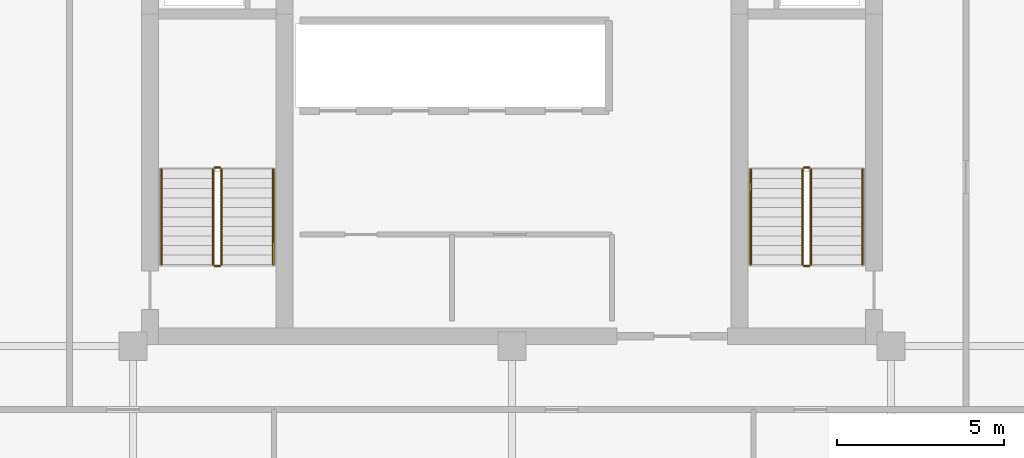
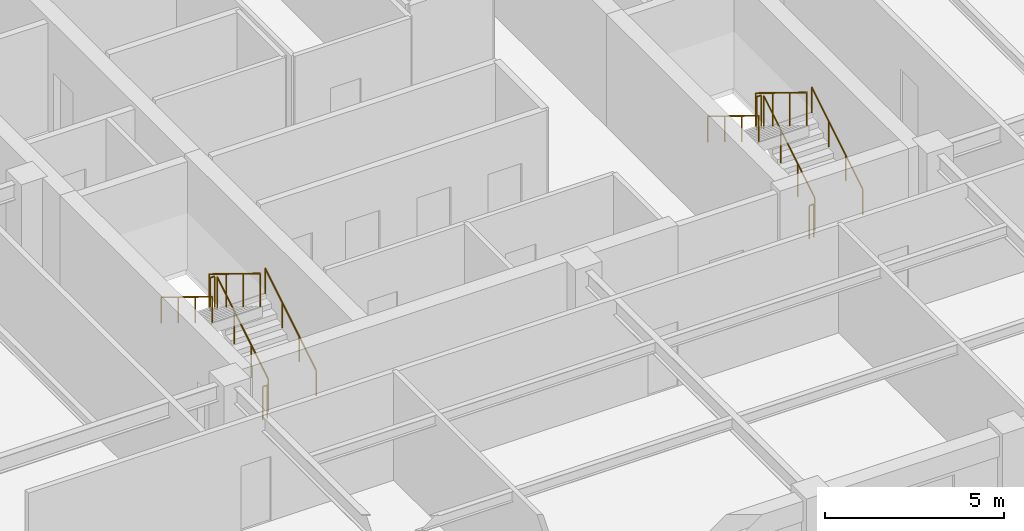
# One storey, part 6 of 6: 12 railings.
"""IFC4 building model written with IfcOpenShell, lengths in metres."""

from ifc_helpers import new_model, si_unit, direction, frame, origin, origin_2d, place, context, subcontext, project, spatial, circle, extrude, material, type_object, element, save


model = new_model("IFC4")

# Units and contexts
model_context = context("Model", 3, precision=1e-05, world=origin(), true_north=direction((0.0, 1.0)))
body_context = subcontext(model_context, "Body", "Model", "MODEL_VIEW")
ifc_project = project(units=[si_unit("LENGTHUNIT", "METRE"), si_unit("AREAUNIT", "SQUARE_METRE"), si_unit("VOLUMEUNIT", "CUBIC_METRE"), si_unit("PLANEANGLEUNIT", "RADIAN"), si_unit("MASSUNIT", "GRAM", prefix="KILO")], contexts=[model_context])

# Site, building, storey
site_placement = place(None, origin())
site = spatial("IfcSite", under=ifc_project, at=site_placement, CompositionType="ELEMENT")
building_placement = place(site_placement, origin())
building = spatial("IfcBuilding", under=site, at=building_placement, Name="Nhamokura Convention Tower", CompositionType="ELEMENT")
storey_placement = place(building_placement, frame((0.0, 0.0, 233.10009765625)))
storey = spatial("IfcBuildingStorey", under=building, at=storey_placement, Name="L57", CompositionType="ELEMENT", Elevation=233.10009765625)

# Railings
ifc_material_1 = material(Name="Anodised bronze stainless steel", Category="steel")
railing_type_1 = type_object("IfcRailingType", Name="StairWallHandrail_900", PredefinedType="HANDRAIL", material=ifc_material_1)
railing_1_placement = place(storey_placement, frame((24.85009765625, 23.10009765625, 0.1748046875)))
element("IfcRailing", 1, at=railing_1_placement, inside=storey, type_object=railing_type_1, Name="L57 ST-01 stair handrail 1", PredefinedType="HANDRAIL", context=body_context, shape_type="SweptSolid", body=[
    extrude(circle(Radius=0.02392578125, at=origin_2d()), frame((0.0, 0.0, 0.8759765625), z_axis=(0.0, 0.852159232446, 0.523282564737), x_axis=(-1.0, 0.0, 0.0)), (0.0, 0.0, 1.0), 3.34423828125),
    extrude(circle(Radius=0.02099609375, at=origin_2d()), origin(), (0.0, 0.0, 1.0), 0.851806640625),
    extrude(circle(Radius=0.02099609375, at=origin_2d()), frame((0.0, 0.949951171875, 0.583251953125)), (0.0, 0.0, 1.0), 0.851806640625),
    extrude(circle(Radius=0.02099609375, at=origin_2d()), frame((0.0, 1.89990234375, 1.166748046875)), (0.0, 0.0, 1.0), 0.851806640625),
    extrude(circle(Radius=0.02099609375, at=origin_2d()), frame((0.0, 2.849853515625, 1.75)), (0.0, 0.0, 1.0), 0.851806640625),
])
railing_2_placement = place(storey_placement, frame((21.5, 25.949951171875, 2.099853515625)))
element("IfcRailing", 2, at=railing_2_placement, inside=storey, type_object=railing_type_1, Name="L57 ST-01 stair handrail 2", PredefinedType="HANDRAIL", context=body_context, shape_type="SweptSolid", body=[
    extrude(circle(Radius=0.02392578125, at=origin_2d()), frame((0.0, 0.0, 0.8759765625), z_axis=(0.0, -0.852159232446, 0.523282564737), x_axis=(1.0, 0.0, 0.0)), (0.0, 0.0, 1.0), 3.34423828125),
    extrude(circle(Radius=0.02099609375, at=origin_2d()), origin(), (0.0, 0.0, 1.0), 0.851806640625),
    extrude(circle(Radius=0.02099609375, at=origin_2d()), frame((0.0, -0.949951171875, 0.583251953125)), (0.0, 0.0, 1.0), 0.851806640625),
    extrude(circle(Radius=0.02099609375, at=origin_2d()), frame((0.0, -1.89990234375, 1.166748046875)), (0.0, 0.0, 1.0), 0.851806640625),
    extrude(circle(Radius=0.02099609375, at=origin_2d()), frame((0.0, -2.849853515625, 1.75)), (0.0, 0.0, 1.0), 0.851806640625),
])
railing_3_placement = place(storey_placement, frame((42.5, 23.10009765625, 0.1748046875)))
element("IfcRailing", 3, at=railing_3_placement, inside=storey, type_object=railing_type_1, Name="L57 ST-02 stair handrail 1", PredefinedType="HANDRAIL", context=body_context, shape_type="SweptSolid", body=[
    extrude(circle(Radius=0.02392578125, at=origin_2d()), frame((0.0, 0.0, 0.8759765625), z_axis=(0.0, 0.852159232446, 0.523282564737), x_axis=(-1.0, 0.0, 0.0)), (0.0, 0.0, 1.0), 3.34423828125),
    extrude(circle(Radius=0.02099609375, at=origin_2d()), origin(), (0.0, 0.0, 1.0), 0.851806640625),
    extrude(circle(Radius=0.02099609375, at=origin_2d()), frame((0.0, 0.949951171875, 0.583251953125)), (0.0, 0.0, 1.0), 0.851806640625),
    extrude(circle(Radius=0.02099609375, at=origin_2d()), frame((0.0, 1.89990234375, 1.166748046875)), (0.0, 0.0, 1.0), 0.851806640625),
    extrude(circle(Radius=0.02099609375, at=origin_2d()), frame((0.0, 2.849853515625, 1.75)), (0.0, 0.0, 1.0), 0.851806640625),
])
railing_4_placement = place(storey_placement, frame((39.14990234375, 25.949951171875, 2.099853515625)))
element("IfcRailing", 4, at=railing_4_placement, inside=storey, type_object=railing_type_1, Name="L57 ST-02 stair handrail 2", PredefinedType="HANDRAIL", context=body_context, shape_type="SweptSolid", body=[
    extrude(circle(Radius=0.02392578125, at=origin_2d()), frame((0.0, 0.0, 0.8759765625), z_axis=(0.0, -0.852159232446, 0.523282564737), x_axis=(1.0, 0.0, 0.0)), (0.0, 0.0, 1.0), 3.34423828125),
    extrude(circle(Radius=0.02099609375, at=origin_2d()), origin(), (0.0, 0.0, 1.0), 0.851806640625),
    extrude(circle(Radius=0.02099609375, at=origin_2d()), frame((0.0, -0.949951171875, 0.583251953125)), (0.0, 0.0, 1.0), 0.851806640625),
    extrude(circle(Radius=0.02099609375, at=origin_2d()), frame((0.0, -1.89990234375, 1.166748046875)), (0.0, 0.0, 1.0), 0.851806640625),
    extrude(circle(Radius=0.02099609375, at=origin_2d()), frame((0.0, -2.849853515625, 1.75)), (0.0, 0.0, 1.0), 0.851806640625),
])
ifc_material_2 = material(Name="Painted tubular steel", Category="steel")
railing_type_2 = type_object("IfcRailingType", Name="StairWellGuardrail_1150", PredefinedType="GUARDRAIL", material=ifc_material_2)
railing_5_placement = place(storey_placement, frame((23.300048828125, 23.10009765625, 0.1748046875)))
element("IfcRailing", 5, at=railing_5_placement, inside=storey, type_object=railing_type_2, Name="L57 ST-01 stair guard 1", PredefinedType="GUARDRAIL", context=body_context, shape_type="SweptSolid", body=[
    extrude(circle(Radius=0.02392578125, at=origin_2d()), frame((0.0, 0.0, 1.1259765625), z_axis=(0.0, 0.852159232446, 0.523282564737), x_axis=(-1.0, 0.0, 0.0)), (0.0, 0.0, 1.0), 3.34423828125),
    extrude(circle(Radius=0.02099609375, at=origin_2d()), origin(), (0.0, 0.0, 1.0), 1.101806640625),
    extrude(circle(Radius=0.02099609375, at=origin_2d()), frame((0.0, 0.949951171875, 0.583251953125)), (0.0, 0.0, 1.0), 1.101806640625),
    extrude(circle(Radius=0.02099609375, at=origin_2d()), frame((0.0, 1.89990234375, 1.166748046875)), (0.0, 0.0, 1.0), 1.101806640625),
    extrude(circle(Radius=0.02099609375, at=origin_2d()), frame((0.0, 2.849853515625, 1.75)), (0.0, 0.0, 1.0), 1.101806640625),
])
railing_6_placement = place(storey_placement, frame((23.25, 26.0, 1.9248046875)))
element("IfcRailing", 6, at=railing_6_placement, inside=storey, type_object=railing_type_2, Name="L57 ST-01 stair guard 2", PredefinedType="GUARDRAIL", context=body_context, shape_type="SweptSolid", body=[
    extrude(circle(Radius=0.02392578125, at=origin_2d()), frame((0.0, 0.0, 1.1259765625), z_axis=(-1.0, 0.0, 0.0), x_axis=(0.0, -1.0, 0.0)), (0.0, 0.0, 1.0), 0.14990234375),
    extrude(circle(Radius=0.02099609375, at=origin_2d()), origin(), (0.0, 0.0, 1.0), 1.101806640625),
    extrude(circle(Radius=0.02099609375, at=origin_2d()), frame((-0.14990234375, 0.0, 0.0)), (0.0, 0.0, 1.0), 1.101806640625),
])
railing_7_placement = place(storey_placement, frame((23.050048828125, 25.949951171875, 2.099853515625)))
element("IfcRailing", 7, at=railing_7_placement, inside=storey, type_object=railing_type_2, Name="L57 ST-01 stair guard 3", PredefinedType="GUARDRAIL", context=body_context, shape_type="SweptSolid", body=[
    extrude(circle(Radius=0.02392578125, at=origin_2d()), frame((0.0, 0.0, 1.1259765625), z_axis=(0.0, -0.852159232446, 0.523282564737), x_axis=(1.0, 0.0, 0.0)), (0.0, 0.0, 1.0), 3.34423828125),
    extrude(circle(Radius=0.02099609375, at=origin_2d()), origin(), (0.0, 0.0, 1.0), 1.101806640625),
    extrude(circle(Radius=0.02099609375, at=origin_2d()), frame((0.0, -0.949951171875, 0.583251953125)), (0.0, 0.0, 1.0), 1.101806640625),
    extrude(circle(Radius=0.02099609375, at=origin_2d()), frame((0.0, -1.89990234375, 1.166748046875)), (0.0, 0.0, 1.0), 1.101806640625),
    extrude(circle(Radius=0.02099609375, at=origin_2d()), frame((0.0, -2.849853515625, 1.75)), (0.0, 0.0, 1.0), 1.101806640625),
])
railing_8_placement = place(storey_placement, frame((23.25, 23.050048828125, 0.0)))
element("IfcRailing", 8, at=railing_8_placement, inside=storey, type_object=railing_type_2, Name="L57 ST-01 stair guard 4", PredefinedType="GUARDRAIL", context=body_context, shape_type="SweptSolid", body=[
    extrude(circle(Radius=0.02392578125, at=origin_2d()), frame((0.0, 0.0, 1.1259765625), z_axis=(-1.0, 0.0, 0.0), x_axis=(0.0, -1.0, 0.0)), (0.0, 0.0, 1.0), 0.14990234375),
    extrude(circle(Radius=0.02099609375, at=origin_2d()), origin(), (0.0, 0.0, 1.0), 1.101806640625),
    extrude(circle(Radius=0.02099609375, at=origin_2d()), frame((-0.14990234375, 0.0, 0.0)), (0.0, 0.0, 1.0), 1.101806640625),
])
railing_9_placement = place(storey_placement, frame((40.949951171875, 23.10009765625, 0.1748046875)))
element("IfcRailing", 9, at=railing_9_placement, inside=storey, type_object=railing_type_2, Name="L57 ST-02 stair guard 1", PredefinedType="GUARDRAIL", context=body_context, shape_type="SweptSolid", body=[
    extrude(circle(Radius=0.02392578125, at=origin_2d()), frame((0.0, 0.0, 1.1259765625), z_axis=(0.0, 0.852159232446, 0.523282564737), x_axis=(-1.0, 0.0, 0.0)), (0.0, 0.0, 1.0), 3.34423828125),
    extrude(circle(Radius=0.02099609375, at=origin_2d()), origin(), (0.0, 0.0, 1.0), 1.101806640625),
    extrude(circle(Radius=0.02099609375, at=origin_2d()), frame((0.0, 0.949951171875, 0.583251953125)), (0.0, 0.0, 1.0), 1.101806640625),
    extrude(circle(Radius=0.02099609375, at=origin_2d()), frame((0.0, 1.89990234375, 1.166748046875)), (0.0, 0.0, 1.0), 1.101806640625),
    extrude(circle(Radius=0.02099609375, at=origin_2d()), frame((0.0, 2.849853515625, 1.75)), (0.0, 0.0, 1.0), 1.101806640625),
])
railing_10_placement = place(storey_placement, frame((40.89990234375, 26.0, 1.9248046875)))
element("IfcRailing", 10, at=railing_10_placement, inside=storey, type_object=railing_type_2, Name="L57 ST-02 stair guard 2", PredefinedType="GUARDRAIL", context=body_context, shape_type="SweptSolid", body=[
    extrude(circle(Radius=0.02392578125, at=origin_2d()), frame((0.0, 0.0, 1.1259765625), z_axis=(-1.0, 0.0, 0.0), x_axis=(0.0, -1.0, 0.0)), (0.0, 0.0, 1.0), 0.14990234375),
    extrude(circle(Radius=0.02099609375, at=origin_2d()), origin(), (0.0, 0.0, 1.0), 1.101806640625),
    extrude(circle(Radius=0.02099609375, at=origin_2d()), frame((-0.14990234375, 0.0, 0.0)), (0.0, 0.0, 1.0), 1.101806640625),
])
railing_11_placement = place(storey_placement, frame((40.699951171875, 25.949951171875, 2.099853515625)))
element("IfcRailing", 11, at=railing_11_placement, inside=storey, type_object=railing_type_2, Name="L57 ST-02 stair guard 3", PredefinedType="GUARDRAIL", context=body_context, shape_type="SweptSolid", body=[
    extrude(circle(Radius=0.02392578125, at=origin_2d()), frame((0.0, 0.0, 1.1259765625), z_axis=(0.0, -0.852159232446, 0.523282564737), x_axis=(1.0, 0.0, 0.0)), (0.0, 0.0, 1.0), 3.34423828125),
    extrude(circle(Radius=0.02099609375, at=origin_2d()), origin(), (0.0, 0.0, 1.0), 1.101806640625),
    extrude(circle(Radius=0.02099609375, at=origin_2d()), frame((0.0, -0.949951171875, 0.583251953125)), (0.0, 0.0, 1.0), 1.101806640625),
    extrude(circle(Radius=0.02099609375, at=origin_2d()), frame((0.0, -1.89990234375, 1.166748046875)), (0.0, 0.0, 1.0), 1.101806640625),
    extrude(circle(Radius=0.02099609375, at=origin_2d()), frame((0.0, -2.849853515625, 1.75)), (0.0, 0.0, 1.0), 1.101806640625),
])
railing_12_placement = place(storey_placement, frame((40.89990234375, 23.050048828125, 0.0)))
element("IfcRailing", 12, at=railing_12_placement, inside=storey, type_object=railing_type_2, Name="L57 ST-02 stair guard 4", PredefinedType="GUARDRAIL", context=body_context, shape_type="SweptSolid", body=[
    extrude(circle(Radius=0.02392578125, at=origin_2d()), frame((0.0, 0.0, 1.1259765625), z_axis=(-1.0, 0.0, 0.0), x_axis=(0.0, -1.0, 0.0)), (0.0, 0.0, 1.0), 0.14990234375),
    extrude(circle(Radius=0.02099609375, at=origin_2d()), origin(), (0.0, 0.0, 1.0), 1.101806640625),
    extrude(circle(Radius=0.02099609375, at=origin_2d()), frame((-0.14990234375, 0.0, 0.0)), (0.0, 0.0, 1.0), 1.101806640625),
])

save(model, "model.ifc")
